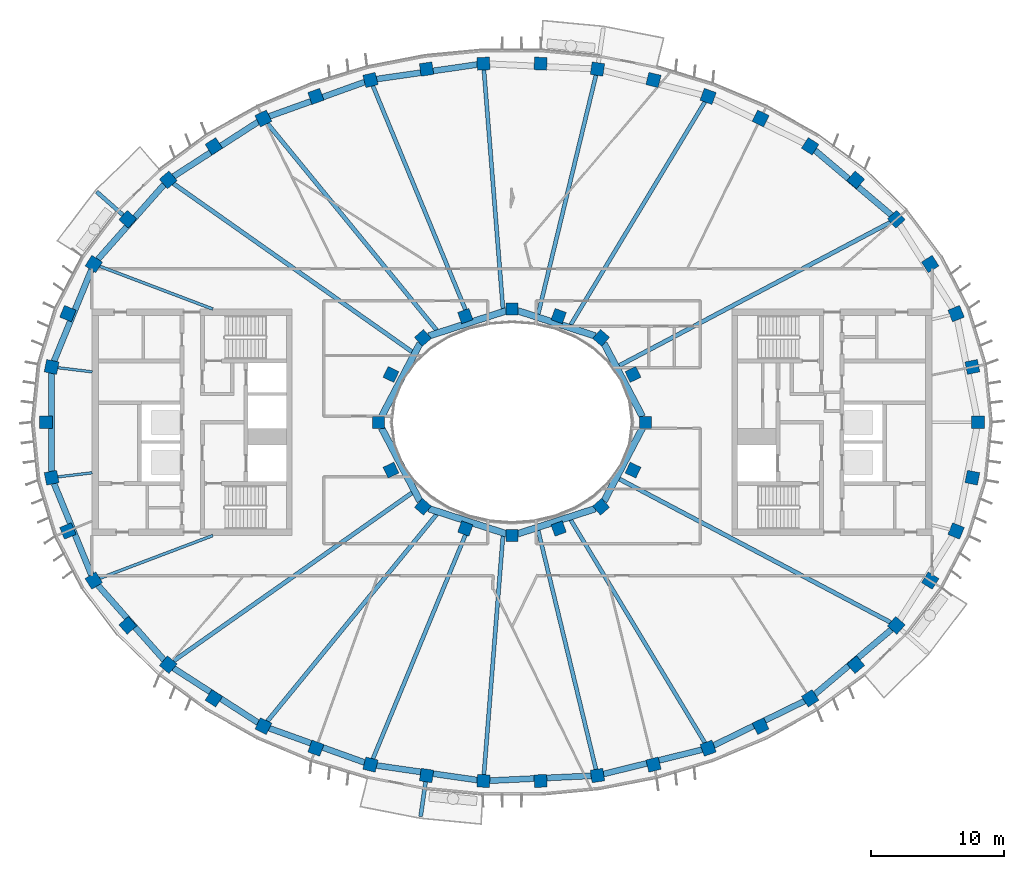
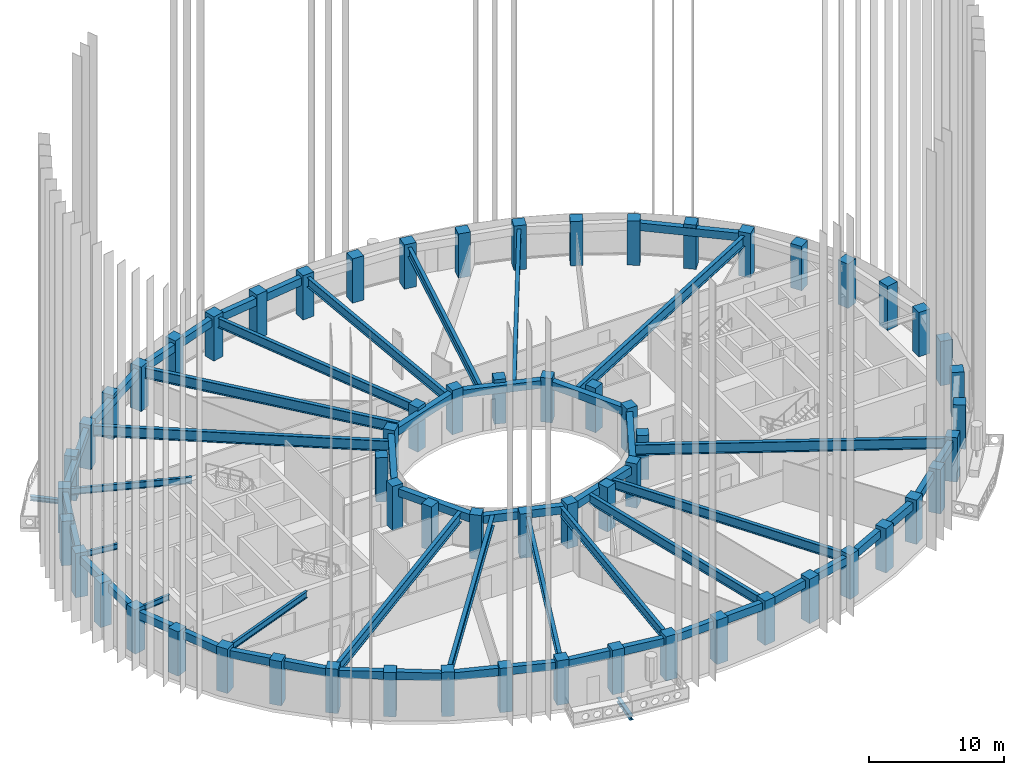
# One storey, part 1 of 17: 62 columns, 44 beams.
"""IFC4 building model written with IfcOpenShell, lengths in metres."""

from ifc_helpers import new_model, si_unit, direction, frame, origin, origin_2d, place, context, subcontext, project, spatial, rectangle, i_section, extrude, material, material_profile, profile_set, type_object, element, save


model = new_model("IFC4")

# Units and contexts
model_context = context("Model", 3, precision=1e-05, world=origin(), true_north=direction((0.0, 1.0)))
body_context = subcontext(model_context, "Body", "Model", "MODEL_VIEW")
ifc_project = project(units=[si_unit("LENGTHUNIT", "METRE"), si_unit("AREAUNIT", "SQUARE_METRE"), si_unit("VOLUMEUNIT", "CUBIC_METRE"), si_unit("PLANEANGLEUNIT", "RADIAN"), si_unit("MASSUNIT", "GRAM", prefix="KILO")], contexts=[model_context])

# Site, building, storey
site_placement = place(None, origin())
site = spatial("IfcSite", under=ifc_project, at=site_placement, CompositionType="ELEMENT")
building_placement = place(site_placement, origin())
building = spatial("IfcBuilding", under=site, at=building_placement, Name="Noorbagh Ring Tower", CompositionType="ELEMENT")
storey_placement = place(building_placement, frame((0.0, 0.0, 291.0)))
storey = spatial("IfcBuildingStorey", under=building, at=storey_placement, Name="L62", CompositionType="ELEMENT", Elevation=291.0)

# Columns
ifc_material_1 = material(Name="Concrete C50/60", Category="concrete")
ifc_material_profile_1 = material_profile(ifc_material_1, rectangle(XDim=0.949951171875, YDim=0.949951171875, at=origin_2d()), Name="RC950x950")
ifc_profile_set_1 = profile_set([ifc_material_profile_1], Name="Concrete C50/60")
column_type_1 = type_object("IfcColumnType", Name="STR-COL-RC950x950-C50-60", PredefinedType="COLUMN", material=ifc_profile_set_1)
for number, where, z_axis, x_axis, name in (
    (1, (34.944580078125, 0.0, 0.0), (0.0, 0.0, 1.0), (0.0, 1.0, 0.0), "L62/col/R1-01"),
    (2, (34.52685546875, 4.150634765625, 0.0), (0.0, 0.0, 1.0), (-0.19723040178, 0.9803571638, 0.0), "L62/col/R1-02"),
    (3, (33.30517578125, 8.1494140625, 0.0), (0.0, 0.0, 1.0), (-0.378989499959, 0.925400971969, 0.0), "L62/col/R1-03"),
    (4, (31.364990234375, 11.87109375, 0.0), (0.0, 0.0, 1.0), (-0.535190403059, 0.844731455833, 0.0), "L62/col/R1-04"),
    (5, (28.81884765625, 15.23046875, 0.0), (0.0, 0.0, 1.0), (-0.662635642662, 0.748941923699, 0.0), "L62/col/R1-05"),
    (6, (25.78271484375, 18.180419921875, 0.0), (0.0, 0.0, 1.0), (-0.763035199656, 0.646356932419, 0.0), "L62/col/R1-06"),
    (7, (22.362060546875, 20.699951171875, 0.0), (0.0, 0.0, 1.0), (-0.840247639643, 0.542202825586, 0.0), "L62/col/R1-07"),
    (8, (18.646240234375, 22.785400390625, 0.0), (0.0, 0.0, 1.0), (-0.898399080868, 0.439180021741, 0.0), "L62/col/R1-08"),
    (9, (14.70947265625, 24.44091796875, 0.0), (0.0, 0.0, 1.0), (-0.941024726094, 0.338337797003, 0.0), "L62/col/R1-09"),
    (10, (10.61328125, 25.673583984375, 0.0), (0.0, 0.0, 1.0), (-0.970829360981, 0.239771457553, 0.0), "L62/col/R1-10"),
    (11, (6.4091796875, 26.49072265625, 0.0), (0.0, 0.0, 1.0), (-0.989713114048, 0.143066249975, 0.0), "L62/col/R1-11"),
    (12, (2.14306640625, 26.89794921875, 0.0), (0.0, 0.0, 1.0), (-0.998868731212, 0.047552684538, 0.0), "L62/col/R1-12"),
    (13, (-2.14306640625, 26.89794921875, 0.0), (0.0, 0.0, 1.0), (-0.998868731212, -0.047552684538, 0.0), "L62/col/R1-13"),
    (14, (-6.4091796875, 26.49072265625, 0.0), (0.0, 0.0, 1.0), (-0.989713114048, -0.143066249975, 0.0), "L62/col/R1-14"),
    (15, (-10.61328125, 25.673583984375, 0.0), (0.0, 0.0, 1.0), (-0.970829360981, -0.239771457553, 0.0), "L62/col/R1-15"),
    (16, (-14.70947265625, 24.44091796875, 0.0), (0.0, 0.0, 1.0), (-0.941024726094, -0.338337797003, 0.0), "L62/col/R1-16"),
    (17, (-18.646240234375, 22.785400390625, 0.0), (0.0, 0.0, 1.0), (-0.898399080868, -0.439180021741, 0.0), "L62/col/R1-17"),
    (18, (-22.362060546875, 20.699951171875, 0.0), (0.0, 0.0, 1.0), (-0.840247639643, -0.542202825586, 0.0), "L62/col/R1-18"),
    (19, (-25.78271484375, 18.180419921875, 0.0), (0.0, 0.0, 1.0), (-0.763035199656, -0.646356932419, 0.0), "L62/col/R1-19"),
    (20, (-28.81884765625, 15.23046875, 0.0), (0.0, 0.0, 1.0), (-0.662635642662, -0.748941923699, 0.0), "L62/col/R1-20"),
    (21, (-31.364990234375, 11.87109375, 0.0), (0.0, 0.0, 1.0), (-0.535190403059, -0.844731455833, 0.0), "L62/col/R1-21"),
    (22, (-33.30517578125, 8.1494140625, 0.0), (0.0, 0.0, 1.0), (-0.378989499959, -0.925400971969, 0.0), "L62/col/R1-22"),
    (23, (-34.52685546875, 4.150634765625, 0.0), (0.0, 0.0, 1.0), (-0.19723040178, -0.9803571638, 0.0), "L62/col/R1-23"),
    (24, (-34.944580078125, 0.0, 0.0), (0.0, 0.0, 1.0), (0.0, -1.0, 0.0), "L62/col/R1-24"),
    (25, (-34.52685546875, -4.150634765625, 0.0), (0.0, 0.0, 1.0), (0.19723040178, -0.9803571638, 0.0), "L62/col/R1-25"),
    (26, (-33.30517578125, -8.1494140625, 0.0), (0.0, 0.0, 1.0), (0.378989499959, -0.925400971969, 0.0), "L62/col/R1-26"),
    (27, (-31.364990234375, -11.87109375, 0.0), (0.0, 0.0, 1.0), (0.535190403059, -0.844731455833, 0.0), "L62/col/R1-27"),
    (28, (-28.81884765625, -15.23046875, 0.0), (0.0, 0.0, 1.0), (0.662635642662, -0.748941923699, 0.0), "L62/col/R1-28"),
    (29, (-25.78271484375, -18.180419921875, 0.0), (0.0, 0.0, 1.0), (0.763035199656, -0.646356932419, 0.0), "L62/col/R1-29"),
    (30, (-22.362060546875, -20.699951171875, 0.0), (0.0, 0.0, 1.0), (0.840247639643, -0.542202825586, 0.0), "L62/col/R1-30"),
    (31, (-18.646240234375, -22.785400390625, 0.0), (0.0, 0.0, 1.0), (0.898399080868, -0.439180021741, 0.0), "L62/col/R1-31"),
    (32, (-14.70947265625, -24.44091796875, 0.0), (0.0, 0.0, 1.0), (0.941024726094, -0.338337797003, 0.0), "L62/col/R1-32"),
    (33, (-10.61328125, -25.673583984375, 0.0), (0.0, 0.0, 1.0), (0.970829360981, -0.239771457553, 0.0), "L62/col/R1-33"),
    (34, (-6.4091796875, -26.49072265625, 0.0), (0.0, 0.0, 1.0), (0.989713114048, -0.143066249975, 0.0), "L62/col/R1-34"),
    (35, (-2.14306640625, -26.89794921875, 0.0), (0.0, 0.0, 1.0), (0.998868731212, -0.047552684538, 0.0), "L62/col/R1-35"),
    (36, (2.14306640625, -26.89794921875, 0.0), (0.0, 0.0, 1.0), (0.998868731212, 0.047552684538, 0.0), "L62/col/R1-36"),
    (37, (6.4091796875, -26.49072265625, 0.0), (0.0, 0.0, 1.0), (0.989713114048, 0.143066249975, 0.0), "L62/col/R1-37"),
    (38, (10.61328125, -25.673583984375, 0.0), (0.0, 0.0, 1.0), (0.970829360981, 0.239771457553, 0.0), "L62/col/R1-38"),
    (39, (14.70947265625, -24.44091796875, 0.0), (0.0, 0.0, 1.0), (0.941024726094, 0.338337797003, 0.0), "L62/col/R1-39"),
    (40, (18.646240234375, -22.785400390625, 0.0), (0.0, 0.0, 1.0), (0.898399080868, 0.439180021741, 0.0), "L62/col/R1-40"),
    (41, (22.362060546875, -20.699951171875, 0.0), (0.0, 0.0, 1.0), (0.840247639643, 0.542202825586, 0.0), "L62/col/R1-41"),
    (42, (25.78271484375, -18.180419921875, 0.0), (0.0, 0.0, 1.0), (0.763035199656, 0.646356932419, 0.0), "L62/col/R1-42"),
    (43, (28.81884765625, -15.23046875, 0.0), (0.0, 0.0, 1.0), (0.662635642662, 0.748941923699, 0.0), "L62/col/R1-43"),
    (44, (31.364990234375, -11.87109375, 0.0), (0.0, 0.0, 1.0), (0.535190403059, 0.844731455833, 0.0), "L62/col/R1-44"),
    (45, (33.30517578125, -8.1494140625, 0.0), (0.0, 0.0, 1.0), (0.378989499959, 0.925400971969, 0.0), "L62/col/R1-45"),
    (46, (34.52685546875, -4.150634765625, 0.0), (0.0, 0.0, 1.0), (0.19723040178, 0.9803571638, 0.0), "L62/col/R1-46"),
):
    element("IfcColumn", number, at=place(storey_placement, frame(where, z_axis=z_axis, x_axis=x_axis)), inside=storey, type_object=column_type_1, Name=name, PredefinedType="COLUMN", context=body_context, shape_type="SweptSolid", body=[
        extrude(rectangle(XDim=0.949951171875, YDim=0.949951171875, at=origin_2d()), origin(), (0.0, 0.0, 1.0), 4.0),
    ])
ifc_material_2 = material(Name="Concrete C50/60", Category="concrete")
ifc_material_profile_2 = material_profile(ifc_material_2, rectangle(XDim=0.89990234375, YDim=0.89990234375, at=origin_2d()), Name="RC900x900")
ifc_profile_set_2 = profile_set([ifc_material_profile_2], Name="Concrete C50/60")
column_type_2 = type_object("IfcColumnType", Name="STR-ICOL-RC900x900-C50-60", PredefinedType="COLUMN", material=ifc_profile_set_2)
for number, where, z_axis, x_axis, name in (
    (47, (10.00830078125, 0.0, 0.0), (0.0, 0.0, 1.0), (0.0, 1.0, 0.0), "L62/col/IR2-W01"),
    (48, (9.07568359375, 3.58837890625, 0.0), (0.0, 0.0, 1.0), (-0.428666979171, 0.903462573087, 0.0), "L62/col/IR2-W03"),
    (49, (6.68212890625, 6.333740234375, 0.0), (0.0, 0.0, 1.0), (-0.75102249095, 0.660276622399, 0.0), "L62/col/IR2-W05"),
    (50, (3.5009765625, 7.967041015625, 0.0), (0.0, 0.0, 1.0), (-0.939019578916, 0.343863679984, 0.0), "L62/col/IR2-W07"),
    (51, (0.0, 8.5029296875, 0.0), (0.0, 0.0, 1.0), (-1.0, 0.0, 0.0), "L62/col/IR2-W09"),
    (52, (-3.5009765625, 7.967041015625, 0.0), (0.0, 0.0, 1.0), (-0.939019578916, -0.343863679984, 0.0), "L62/col/IR2-W11"),
    (53, (-6.68212890625, 6.333740234375, 0.0), (0.0, 0.0, 1.0), (-0.75102249095, -0.660276622399, 0.0), "L62/col/IR2-W13"),
    (54, (-9.07568359375, 3.58837890625, 0.0), (0.0, 0.0, 1.0), (-0.428666979171, -0.903462573087, 0.0), "L62/col/IR2-W15"),
    (55, (-10.00830078125, 0.0, 0.0), (0.0, 0.0, 1.0), (0.0, -1.0, 0.0), "L62/col/IR2-W17"),
    (56, (-9.07568359375, -3.58837890625, 0.0), (0.0, 0.0, 1.0), (0.428666979171, -0.903462573087, 0.0), "L62/col/IR2-W19"),
    (57, (-6.68212890625, -6.333740234375, 0.0), (0.0, 0.0, 1.0), (0.75102249095, -0.660276622399, 0.0), "L62/col/IR2-W21"),
    (58, (-3.5009765625, -7.967041015625, 0.0), (0.0, 0.0, 1.0), (0.939019578916, -0.343863679984, 0.0), "L62/col/IR2-W23"),
    (59, (0.0, -8.5029296875, 0.0), (0.0, 0.0, 1.0), (1.0, 0.0, 0.0), "L62/col/IR2-W25"),
    (60, (3.5009765625, -7.967041015625, 0.0), (0.0, 0.0, 1.0), (0.939019578916, 0.343863679984, 0.0), "L62/col/IR2-W27"),
    (61, (6.68212890625, -6.333740234375, 0.0), (0.0, 0.0, 1.0), (0.75102249095, 0.660276622399, 0.0), "L62/col/IR2-W29"),
    (62, (9.07568359375, -3.58837890625, 0.0), (0.0, 0.0, 1.0), (0.428666979171, 0.903462573087, 0.0), "L62/col/IR2-W31"),
):
    element("IfcColumn", number, at=place(storey_placement, frame(where, z_axis=z_axis, x_axis=x_axis)), inside=storey, type_object=column_type_2, Name=name, PredefinedType="COLUMN", context=body_context, shape_type="SweptSolid", body=[
        extrude(rectangle(XDim=0.89990234375, YDim=0.89990234375, at=origin_2d()), origin(), (0.0, 0.0, 1.0), 4.0),
    ])

# Beams
ifc_material_3 = material(Name="Steel S355", Category="steel")
ifc_material_profile_3 = material_profile(ifc_material_3, i_section(OverallWidth=0.300048828125, OverallDepth=0.39990234375, WebThickness=0.013427734375, FlangeThickness=0.02392578125, FilletRadius=0.027099609375, at=origin_2d()), Name="HEB400")
ifc_profile_set_3 = profile_set([ifc_material_profile_3], Name="Steel S355")
beam_type_1 = type_object("IfcBeamType", Name="STR-BALCONY-BRACKET-HEB400", PredefinedType="BEAM", material=ifc_profile_set_3)
beam_1_placement = place(storey_placement, frame((-29.15966796875, 15.531982421875, -0.5), z_axis=(-0.749056248736, 0.662506404671, 0.0), x_axis=(-0.662506404671, -0.749056248736, 0.0)))
element("IfcBeam", 63, at=beam_1_placement, inside=storey, type_object=beam_type_1, Name="Balcony bracket beam BN06", PredefinedType="BEAM", context=body_context, shape_type="SweptSolid", body=[
    extrude(i_section(OverallWidth=0.300048828125, OverallDepth=0.39990234375, WebThickness=0.013427734375, FlangeThickness=0.02392578125, FilletRadius=0.027099609375, at=origin_2d()), origin(), (0.0, 0.0, 1.0), 2.654296875),
])
beam_2_placement = place(storey_placement, frame((-6.474365234375, -26.941162109375, -0.5), z_axis=(-0.143047035154, -0.989715891422, 0.0), x_axis=(0.989715891422, -0.143047035154, 0.0)))
element("IfcBeam", 64, at=beam_2_placement, inside=storey, type_object=beam_type_1, Name="Balcony bracket beam BS03", PredefinedType="BEAM", context=body_context, shape_type="SweptSolid", body=[
    extrude(i_section(OverallWidth=0.300048828125, OverallDepth=0.39990234375, WebThickness=0.013427734375, FlangeThickness=0.02392578125, FilletRadius=0.027099609375, at=origin_2d()), origin(), (0.0, 0.0, 1.0), 2.64892578125),
])
ifc_material_4 = material(Name="Steel S355", Category="steel")
ifc_material_profile_4 = material_profile(ifc_material_4, i_section(OverallWidth=0.199951171875, OverallDepth=0.5, WebThickness=0.01025390625, FlangeThickness=0.01611328125, FilletRadius=0.02099609375, at=origin_2d()), Name="IPE500")
ifc_profile_set_4 = profile_set([ifc_material_profile_4], Name="Steel S355")
beam_type_2 = type_object("IfcBeamType", Name="STR-RAD-IPE500", PredefinedType="BEAM", material=ifc_profile_set_4)
for number, where, z_axis, x_axis, name in (
    (65, (-34.073486328125, 4.09619140625, 3.449951171875), (0.99285071941, -0.11936267828, 0.0), (0.11936267828, 0.99285071941, 0.0), "L62/bm/RD23"),
    (66, (-34.073486328125, -4.09619140625, 3.449951171875), (0.99285071941, 0.11936267828, 0.0), (-0.11936267828, 0.99285071941, 0.0), "L62/bm/RD25"),
):
    element("IfcBeam", number, at=place(storey_placement, frame(where, z_axis=z_axis, x_axis=x_axis)), inside=storey, type_object=beam_type_2, Name=name, PredefinedType="BEAM", context=body_context, shape_type="SweptSolid", body=[
        extrude(i_section(OverallWidth=0.199951171875, OverallDepth=0.5, WebThickness=0.01025390625, FlangeThickness=0.01611328125, FilletRadius=0.02099609375, at=origin_2d()), origin(), (0.0, 0.0, 1.0), 2.61181640625),
    ])
ifc_material_5 = material(Name="Steel S355", Category="steel")
ifc_material_profile_5 = material_profile(ifc_material_5, i_section(OverallWidth=0.219970703125, OverallDepth=0.60009765625, WebThickness=0.011962890625, FlangeThickness=0.01904296875, FilletRadius=0.02392578125, at=origin_2d()), Name="IPE600")
ifc_profile_set_5 = profile_set([ifc_material_profile_5], Name="Steel S355")
beam_type_3 = type_object("IfcBeamType", Name="STR-RAD-IPE600", PredefinedType="BEAM", material=ifc_profile_set_5)
for number, where, z_axis, x_axis, name in (
    (67, (-30.93017578125, 11.706298828125, 3.39990234375), (0.935258347676, -0.353965850192, 0.0), (0.353965850192, 0.935258347676, 0.0), "L62/bm/RD21"),
    (68, (-30.93017578125, -11.706298828125, 3.39990234375), (0.935258347676, 0.353965850192, 0.0), (-0.353965850192, 0.935258347676, 0.0), "L62/bm/RD27"),
):
    element("IfcBeam", number, at=place(storey_placement, frame(where, z_axis=z_axis, x_axis=x_axis)), inside=storey, type_object=beam_type_3, Name=name, PredefinedType="BEAM", context=body_context, shape_type="SweptSolid", body=[
        extrude(i_section(OverallWidth=0.219970703125, OverallDepth=0.60009765625, WebThickness=0.011962890625, FlangeThickness=0.01904296875, FilletRadius=0.02392578125, at=origin_2d()), origin(), (0.0, 0.0, 1.0), 9.078125),
    ])
ifc_material_6 = material(Name="Steel S355", Category="steel")
ifc_material_profile_6 = material_profile(ifc_material_6, i_section(OverallWidth=0.300048828125, OverallDepth=0.85009765625, WebThickness=0.013916015625, FlangeThickness=0.028076171875, at=origin_2d()), Name="PG850x300x14x28")
ifc_profile_set_6 = profile_set([ifc_material_profile_6], Name="Steel S355")
beam_type_4 = type_object("IfcBeamType", Name="STR-RAD-PG850x300x14x28", PredefinedType="BEAM", material=ifc_profile_set_6)
beam_3_placement = place(storey_placement, frame((14.469970703125, 24.04296875, 3.27490234375), z_axis=(-0.515650204939, -0.856799198264, 0.0), x_axis=(0.856799198264, -0.515650204939, 0.0)))
element("IfcBeam", 69, at=beam_3_placement, inside=storey, type_object=beam_type_4, Name="L62/bm/RD09", PredefinedType="BEAM", context=body_context, shape_type="SweptSolid", body=[
    extrude(i_section(OverallWidth=0.300048828125, OverallDepth=0.85009765625, WebThickness=0.013916015625, FlangeThickness=0.028076171875, at=origin_2d()), origin(), (0.0, 0.0, 1.0), 19.522705078125),
])
beam_4_placement = place(storey_placement, frame((6.3017578125, 26.046630859375, 3.27490234375), z_axis=(-0.235155145901, -0.97195784752, 0.0), x_axis=(0.97195784752, -0.235155145901, 0.0)))
element("IfcBeam", 70, at=beam_4_placement, inside=storey, type_object=beam_type_4, Name="L62/bm/RD11", PredefinedType="BEAM", context=body_context, shape_type="SweptSolid", body=[
    extrude(i_section(OverallWidth=0.300048828125, OverallDepth=0.85009765625, WebThickness=0.013916015625, FlangeThickness=0.028076171875, at=origin_2d()), origin(), (0.0, 0.0, 1.0), 18.456298828125),
])
beam_5_placement = place(storey_placement, frame((-2.10693359375, 26.444091796875, 3.27490234375), z_axis=(0.079423498712, -0.996840964172, 0.0), x_axis=(0.996840964172, 0.079423498712, 0.0)))
element("IfcBeam", 71, at=beam_5_placement, inside=storey, type_object=beam_type_4, Name="L62/bm/RD13", PredefinedType="BEAM", context=body_context, shape_type="SweptSolid", body=[
    extrude(i_section(OverallWidth=0.300048828125, OverallDepth=0.85009765625, WebThickness=0.013916015625, FlangeThickness=0.028076171875, at=origin_2d()), origin(), (0.0, 0.0, 1.0), 17.976318359375),
])
for number, where, z_axis, x_axis, name in (
    (72, (-10.437255859375, 25.248046875, 3.27490234375), (0.382035124729, -0.924147803911, 0.0), (0.924147803911, 0.382035124729, 0.0), "L62/bm/RD15"),
    (73, (-10.437255859375, -25.248046875, 3.27490234375), (0.382035124729, 0.924147803911, 0.0), (-0.924147803911, 0.382035124729, 0.0), "L62/bm/RD33"),
):
    element("IfcBeam", number, at=place(storey_placement, frame(where, z_axis=z_axis, x_axis=x_axis)), inside=storey, type_object=beam_type_4, Name=name, PredefinedType="BEAM", context=body_context, shape_type="SweptSolid", body=[
        extrude(i_section(OverallWidth=0.300048828125, OverallDepth=0.85009765625, WebThickness=0.013916015625, FlangeThickness=0.028076171875, at=origin_2d()), origin(), (0.0, 0.0, 1.0), 18.977294921875),
    ])
beam_6_placement = place(storey_placement, frame((-2.10693359375, -26.444091796875, 3.27490234375), z_axis=(0.079423498712, 0.996840964172, 0.0), x_axis=(-0.996840964172, 0.079423498712, 0.0)))
element("IfcBeam", 74, at=beam_6_placement, inside=storey, type_object=beam_type_4, Name="L62/bm/RD35", PredefinedType="BEAM", context=body_context, shape_type="SweptSolid", body=[
    extrude(i_section(OverallWidth=0.300048828125, OverallDepth=0.85009765625, WebThickness=0.013916015625, FlangeThickness=0.028076171875, at=origin_2d()), origin(), (0.0, 0.0, 1.0), 17.976318359375),
])
beam_7_placement = place(storey_placement, frame((6.3017578125, -26.046630859375, 3.27490234375), z_axis=(-0.235155145901, 0.97195784752, 0.0), x_axis=(-0.97195784752, -0.235155145901, 0.0)))
element("IfcBeam", 75, at=beam_7_placement, inside=storey, type_object=beam_type_4, Name="L62/bm/RD37", PredefinedType="BEAM", context=body_context, shape_type="SweptSolid", body=[
    extrude(i_section(OverallWidth=0.300048828125, OverallDepth=0.85009765625, WebThickness=0.013916015625, FlangeThickness=0.028076171875, at=origin_2d()), origin(), (0.0, 0.0, 1.0), 18.456298828125),
])
beam_8_placement = place(storey_placement, frame((14.469970703125, -24.04296875, 3.27490234375), z_axis=(-0.515650204939, 0.856799198264, 0.0), x_axis=(-0.856799198264, -0.515650204939, 0.0)))
element("IfcBeam", 76, at=beam_8_placement, inside=storey, type_object=beam_type_4, Name="L62/bm/RD39", PredefinedType="BEAM", context=body_context, shape_type="SweptSolid", body=[
    extrude(i_section(OverallWidth=0.300048828125, OverallDepth=0.85009765625, WebThickness=0.013916015625, FlangeThickness=0.028076171875, at=origin_2d()), origin(), (0.0, 0.0, 1.0), 19.522705078125),
])
ifc_material_7 = material(Name="Steel S355", Category="steel")
ifc_material_profile_7 = material_profile(ifc_material_7, i_section(OverallWidth=0.320068359375, OverallDepth=0.949951171875, WebThickness=0.01611328125, FlangeThickness=0.030029296875, at=origin_2d()), Name="PG950x320x16x30")
ifc_profile_set_7 = profile_set([ifc_material_profile_7], Name="Steel S355")
beam_type_5 = type_object("IfcBeamType", Name="STR-RAD-PG950x320x16x30", PredefinedType="BEAM", material=ifc_profile_set_7)
beam_9_placement = place(storey_placement, frame((28.404296875, 15.011474609375, 3.22509765625), z_axis=(-0.884125650742, -0.467249220118, 0.0), x_axis=(0.467249220118, -0.884125650742, 0.0)))
element("IfcBeam", 77, at=beam_9_placement, inside=storey, type_object=beam_type_5, Name="L62/bm/RD05", PredefinedType="BEAM", context=body_context, shape_type="SweptSolid", body=[
    extrude(i_section(OverallWidth=0.320068359375, OverallDepth=0.949951171875, WebThickness=0.01611328125, FlangeThickness=0.030029296875, at=origin_2d()), origin(), (0.0, 0.0, 1.0), 23.0361328125),
])
beam_10_placement = place(storey_placement, frame((-18.349853515625, 22.42333984375, 3.22509765625), z_axis=(0.633310080716, -0.773898146828, 0.0), x_axis=(0.773898146828, 0.633310080716, 0.0)))
element("IfcBeam", 78, at=beam_10_placement, inside=storey, type_object=beam_type_5, Name="L62/bm/RD17", PredefinedType="BEAM", context=body_context, shape_type="SweptSolid", body=[
    extrude(i_section(OverallWidth=0.320068359375, OverallDepth=0.949951171875, WebThickness=0.01611328125, FlangeThickness=0.030029296875, at=origin_2d()), origin(), (0.0, 0.0, 1.0), 20.045166015625),
])
for number, where, z_axis, x_axis, name in (
    (79, (-25.39794921875, 17.908935546875, 3.22509765625), (0.817258066594, -0.576271856494, 0.0), (0.576271856494, 0.817258066594, 0.0), "L62/bm/RD19"),
    (80, (-25.39794921875, -17.908935546875, 3.22509765625), (0.817258066594, 0.576271856494, 0.0), (-0.576271856494, 0.817258066594, 0.0), "L62/bm/RD29"),
):
    element("IfcBeam", number, at=place(storey_placement, frame(where, z_axis=z_axis, x_axis=x_axis)), inside=storey, type_object=beam_type_5, Name=name, PredefinedType="BEAM", context=body_context, shape_type="SweptSolid", body=[
        extrude(i_section(OverallWidth=0.320068359375, OverallDepth=0.949951171875, WebThickness=0.01611328125, FlangeThickness=0.030029296875, at=origin_2d()), origin(), (0.0, 0.0, 1.0), 21.907958984375),
    ])
beam_11_placement = place(storey_placement, frame((-18.349853515625, -22.42333984375, 3.22509765625), z_axis=(0.633310080716, 0.773898146828, 0.0), x_axis=(-0.773898146828, 0.633310080716, 0.0)))
element("IfcBeam", 81, at=beam_11_placement, inside=storey, type_object=beam_type_5, Name="L62/bm/RD31", PredefinedType="BEAM", context=body_context, shape_type="SweptSolid", body=[
    extrude(i_section(OverallWidth=0.320068359375, OverallDepth=0.949951171875, WebThickness=0.01611328125, FlangeThickness=0.030029296875, at=origin_2d()), origin(), (0.0, 0.0, 1.0), 20.045166015625),
])
beam_12_placement = place(storey_placement, frame((28.404296875, -15.011474609375, 3.22509765625), z_axis=(-0.884125650742, 0.467249220118, 0.0), x_axis=(-0.467249220118, -0.884125650742, 0.0)))
element("IfcBeam", 82, at=beam_12_placement, inside=storey, type_object=beam_type_5, Name="L62/bm/RD43", PredefinedType="BEAM", context=body_context, shape_type="SweptSolid", body=[
    extrude(i_section(OverallWidth=0.320068359375, OverallDepth=0.949951171875, WebThickness=0.01611328125, FlangeThickness=0.030029296875, at=origin_2d()), origin(), (0.0, 0.0, 1.0), 23.0361328125),
])
ifc_material_8 = material(Name="Concrete C40/50", Category="concrete")
ifc_material_profile_8 = material_profile(ifc_material_8, rectangle(XDim=0.5, YDim=0.699951171875, at=origin_2d()), Name="RC500x700")
ifc_profile_set_8 = profile_set([ifc_material_profile_8], Name="Concrete C40/50")
beam_type_6 = type_object("IfcBeamType", Name="STR-RB-RC500x700-C40-50", PredefinedType="BEAM", material=ifc_profile_set_8)
beam_13_placement = place(storey_placement, frame((9.781494140625, 0.432373046875, 3.35009765625), z_axis=(-0.464959609013, 0.885331893691, 0.0), x_axis=(-0.885331893691, -0.464959609013, 0.0)))
element("IfcBeam", 83, at=beam_13_placement, inside=storey, type_object=beam_type_6, Name="L62/bm/RG01", PredefinedType="BEAM", context=body_context, shape_type="SweptSolid", body=[
    extrude(rectangle(XDim=0.5, YDim=0.699951171875, at=origin_2d()), origin(), (0.0, 0.0, 1.0), 6.203857421875),
])
for number, where, z_axis, x_axis, name in (
    (84, (6.235107421875, 6.47900390625, 3.35009765625), (-0.951146317375, 0.308740478303, 0.0), (-0.308740478303, -0.951146317375, 0.0), "L62/bm/RG03"),
    (85, (-0.430908203125, 8.363037109375, 3.35009765625), (-0.951146317375, -0.308740478303, 0.0), (0.308740478303, -0.951146317375, 0.0), "L62/bm/RG05"),
):
    element("IfcBeam", number, at=place(storey_placement, frame(where, z_axis=z_axis, x_axis=x_axis)), inside=storey, type_object=beam_type_6, Name=name, PredefinedType="BEAM", context=body_context, shape_type="SweptSolid", body=[
        extrude(rectangle(XDim=0.5, YDim=0.699951171875, at=origin_2d()), origin(), (0.0, 0.0, 1.0), 6.102294921875),
    ])
for number, where, z_axis, x_axis, name in (
    (86, (-6.89697265625, 5.9248046875, 3.35009765625), (-0.464959609013, -0.885331893691, 0.0), (0.885331893691, -0.464959609013, 0.0), "L62/bm/RG07"),
    (87, (-9.781494140625, -0.432373046875, 3.35009765625), (0.464959609013, -0.885331893691, 0.0), (0.885331893691, 0.464959609013, 0.0), "L62/bm/RG09"),
):
    element("IfcBeam", number, at=place(storey_placement, frame(where, z_axis=z_axis, x_axis=x_axis)), inside=storey, type_object=beam_type_6, Name=name, PredefinedType="BEAM", context=body_context, shape_type="SweptSolid", body=[
        extrude(rectangle(XDim=0.5, YDim=0.699951171875, at=origin_2d()), origin(), (0.0, 0.0, 1.0), 6.203857421875),
    ])
for number, where, z_axis, x_axis, name in (
    (88, (-6.235107421875, -6.47900390625, 3.35009765625), (0.951146317375, -0.308740478303, 0.0), (0.308740478303, 0.951146317375, 0.0), "L62/bm/RG11"),
    (89, (0.430908203125, -8.363037109375, 3.35009765625), (0.951146317375, 0.308740478303, 0.0), (-0.308740478303, 0.951146317375, 0.0), "L62/bm/RG13"),
):
    element("IfcBeam", number, at=place(storey_placement, frame(where, z_axis=z_axis, x_axis=x_axis)), inside=storey, type_object=beam_type_6, Name=name, PredefinedType="BEAM", context=body_context, shape_type="SweptSolid", body=[
        extrude(rectangle(XDim=0.5, YDim=0.699951171875, at=origin_2d()), origin(), (0.0, 0.0, 1.0), 6.102294921875),
    ])
beam_14_placement = place(storey_placement, frame((6.89697265625, -5.9248046875, 3.35009765625), z_axis=(0.464959609013, 0.885331893691, 0.0), x_axis=(-0.885331893691, 0.464959609013, 0.0)))
element("IfcBeam", 90, at=beam_14_placement, inside=storey, type_object=beam_type_6, Name="L62/bm/RG15", PredefinedType="BEAM", context=body_context, shape_type="SweptSolid", body=[
    extrude(rectangle(XDim=0.5, YDim=0.699951171875, at=origin_2d()), origin(), (0.0, 0.0, 1.0), 6.203857421875),
])
ifc_material_9 = material(Name="Concrete C40/50", Category="concrete")
ifc_material_profile_9 = material_profile(ifc_material_9, rectangle(XDim=0.449951171875, YDim=0.699951171875, at=origin_2d()), Name="RC450x700")
ifc_profile_set_9 = profile_set([ifc_material_profile_9], Name="Concrete C40/50")
beam_type_7 = type_object("IfcBeamType", Name="STR-SB-RC450x700-C40-50", PredefinedType="BEAM", material=ifc_profile_set_9)
beam_15_placement = place(storey_placement, frame((28.4677734375, 15.52783203125, 3.35009765625), z_axis=(-0.763022759798, 0.646371617594, 0.0), x_axis=(-0.646371617594, -0.763022759798, 0.0)))
element("IfcBeam", 91, at=beam_15_placement, inside=storey, type_object=beam_type_7, Name="L62/bm/SP05", PredefinedType="BEAM", context=body_context, shape_type="SweptSolid", body=[
    extrude(rectangle(XDim=0.449951171875, YDim=0.699951171875, at=origin_2d()), origin(), (0.0, 0.0, 1.0), 7.54296875),
])
beam_16_placement = place(storey_placement, frame((-2.595703125, 26.83251953125, 3.35009765625), z_axis=(-0.989713688826, -0.14306227368, 0.0), x_axis=(0.14306227368, -0.989713688826, 0.0)))
element("IfcBeam", 92, at=beam_16_placement, inside=storey, type_object=beam_type_7, Name="L62/bm/SP13", PredefinedType="BEAM", context=body_context, shape_type="SweptSolid", body=[
    extrude(rectangle(XDim=0.449951171875, YDim=0.699951171875, at=origin_2d()), origin(), (0.0, 0.0, 1.0), 7.6435546875),
])
beam_17_placement = place(storey_placement, frame((-11.043701171875, 25.518798828125, 3.35009765625), z_axis=(-0.941030260788, -0.338322402866, 0.0), x_axis=(0.338322402866, -0.941030260788, 0.0)))
element("IfcBeam", 93, at=beam_17_placement, inside=storey, type_object=beam_type_7, Name="L62/bm/SP15", PredefinedType="BEAM", context=body_context, shape_type="SweptSolid", body=[
    extrude(rectangle(XDim=0.449951171875, YDim=0.699951171875, at=origin_2d()), origin(), (0.0, 0.0, 1.0), 7.62109375),
])
beam_18_placement = place(storey_placement, frame((-19.031494140625, 22.536865234375, 3.35009765625), z_axis=(-0.840242183288, -0.542211281165, 0.0), x_axis=(0.542211281165, -0.840242183288, 0.0)))
element("IfcBeam", 94, at=beam_18_placement, inside=storey, type_object=beam_type_7, Name="L62/bm/SP17", PredefinedType="BEAM", context=body_context, shape_type="SweptSolid", body=[
    extrude(rectangle(XDim=0.449951171875, YDim=0.699951171875, at=origin_2d()), origin(), (0.0, 0.0, 1.0), 7.57568359375),
])
beam_19_placement = place(storey_placement, frame((-26.08740234375, 17.8359375, 3.35009765625), z_axis=(-0.662645487246, -0.748933213466, 0.0), x_axis=(0.748933213466, -0.662645487246, 0.0)))
element("IfcBeam", 95, at=beam_19_placement, inside=storey, type_object=beam_type_7, Name="L62/bm/SP19", PredefinedType="BEAM", context=body_context, shape_type="SweptSolid", body=[
    extrude(rectangle(XDim=0.449951171875, YDim=0.699951171875, at=origin_2d()), origin(), (0.0, 0.0, 1.0), 7.50341796875),
])
beam_20_placement = place(storey_placement, frame((-31.540283203125, 11.443115234375, 3.35009765625), z_axis=(-0.378989151692, -0.925401114598, 0.0), x_axis=(0.925401114598, -0.378989151692, 0.0)))
element("IfcBeam", 96, at=beam_20_placement, inside=storey, type_object=beam_type_7, Name="L62/bm/SP21", PredefinedType="BEAM", context=body_context, shape_type="SweptSolid", body=[
    extrude(rectangle(XDim=0.449951171875, YDim=0.699951171875, at=origin_2d()), origin(), (0.0, 0.0, 1.0), 7.41650390625),
])
beam_21_placement = place(storey_placement, frame((-34.52685546875, 3.68603515625, 3.35009765625), z_axis=(0.0, -1.0, 0.0), x_axis=(1.0, 0.0, 0.0)))
element("IfcBeam", 97, at=beam_21_placement, inside=storey, type_object=beam_type_7, Name="L62/bm/SP23", PredefinedType="BEAM", context=body_context, shape_type="SweptSolid", body=[
    extrude(rectangle(XDim=0.449951171875, YDim=0.699951171875, at=origin_2d()), origin(), (0.0, 0.0, 1.0), 7.3720703125),
])
beam_22_placement = place(storey_placement, frame((-34.35107421875, -4.579833984375, 3.35009765625), z_axis=(0.378989151692, -0.925401114598, 0.0), x_axis=(0.925401114598, 0.378989151692, 0.0)))
element("IfcBeam", 98, at=beam_22_placement, inside=storey, type_object=beam_type_7, Name="L62/bm/SP25", PredefinedType="BEAM", context=body_context, shape_type="SweptSolid", body=[
    extrude(rectangle(XDim=0.449951171875, YDim=0.699951171875, at=origin_2d()), origin(), (0.0, 0.0, 1.0), 7.41650390625),
])
beam_23_placement = place(storey_placement, frame((-31.0595703125, -12.21630859375, 3.35009765625), z_axis=(0.662645487246, -0.748933213466, 0.0), x_axis=(0.748933213466, 0.662645487246, 0.0)))
element("IfcBeam", 99, at=beam_23_placement, inside=storey, type_object=beam_type_7, Name="L62/bm/SP27", PredefinedType="BEAM", context=body_context, shape_type="SweptSolid", body=[
    extrude(rectangle(XDim=0.449951171875, YDim=0.699951171875, at=origin_2d()), origin(), (0.0, 0.0, 1.0), 7.50341796875),
])
beam_24_placement = place(storey_placement, frame((-25.39697265625, -18.42919921875, 3.35009765625), z_axis=(0.840242183288, -0.542211281165, 0.0), x_axis=(0.542211281165, 0.840242183288, 0.0)))
element("IfcBeam", 100, at=beam_24_placement, inside=storey, type_object=beam_type_7, Name="L62/bm/SP29", PredefinedType="BEAM", context=body_context, shape_type="SweptSolid", body=[
    extrude(rectangle(XDim=0.449951171875, YDim=0.699951171875, at=origin_2d()), origin(), (0.0, 0.0, 1.0), 7.57568359375),
])
beam_25_placement = place(storey_placement, frame((-18.21533203125, -22.9404296875, 3.35009765625), z_axis=(0.941030260788, -0.338322402866, 0.0), x_axis=(0.338322402866, 0.941030260788, 0.0)))
element("IfcBeam", 101, at=beam_25_placement, inside=storey, type_object=beam_type_7, Name="L62/bm/SP31", PredefinedType="BEAM", context=body_context, shape_type="SweptSolid", body=[
    extrude(rectangle(XDim=0.449951171875, YDim=0.699951171875, at=origin_2d()), origin(), (0.0, 0.0, 1.0), 7.62109375),
])
beam_26_placement = place(storey_placement, frame((-10.16064453125, -25.739013671875, 3.35009765625), z_axis=(0.989713688826, -0.14306227368, 0.0), x_axis=(0.14306227368, 0.989713688826, 0.0)))
element("IfcBeam", 102, at=beam_26_placement, inside=storey, type_object=beam_type_7, Name="L62/bm/SP33", PredefinedType="BEAM", context=body_context, shape_type="SweptSolid", body=[
    extrude(rectangle(XDim=0.449951171875, YDim=0.699951171875, at=origin_2d()), origin(), (0.0, 0.0, 1.0), 7.6435546875),
])
beam_27_placement = place(storey_placement, frame((-1.6865234375, -26.876220703125, 3.35009765625), z_axis=(0.998869653919, 0.047533298648, 0.0), x_axis=(-0.047533298648, 0.998869653919, 0.0)))
element("IfcBeam", 103, at=beam_27_placement, inside=storey, type_object=beam_type_7, Name="L62/bm/SP35", PredefinedType="BEAM", context=body_context, shape_type="SweptSolid", body=[
    extrude(rectangle(XDim=0.449951171875, YDim=0.699951171875, at=origin_2d()), origin(), (0.0, 0.0, 1.0), 7.647705078125),
])
beam_28_placement = place(storey_placement, frame((6.853271484375, -26.381103515625, 3.35009765625), z_axis=(0.970830763324, 0.239765779427, 0.0), x_axis=(-0.239765779427, 0.970830763324, 0.0)))
element("IfcBeam", 104, at=beam_28_placement, inside=storey, type_object=beam_type_7, Name="L62/bm/SP37", PredefinedType="BEAM", context=body_context, shape_type="SweptSolid", body=[
    extrude(rectangle(XDim=0.449951171875, YDim=0.699951171875, at=origin_2d()), origin(), (0.0, 0.0, 1.0), 7.634765625),
])
beam_29_placement = place(storey_placement, frame((15.120849609375, -24.23974609375, 3.35009765625), z_axis=(0.898405762579, 0.43916635318, 0.0), x_axis=(-0.43916635318, 0.898405762579, 0.0)))
element("IfcBeam", 105, at=beam_29_placement, inside=storey, type_object=beam_type_7, Name="L62/bm/SP39", PredefinedType="BEAM", context=body_context, shape_type="SweptSolid", body=[
    extrude(rectangle(XDim=0.449951171875, YDim=0.699951171875, at=origin_2d()), origin(), (0.0, 0.0, 1.0), 7.6015625),
])
beam_30_placement = place(storey_placement, frame((22.71240234375, -20.4033203125, 3.35009765625), z_axis=(0.763022759798, 0.646371617594, 0.0), x_axis=(-0.646371617594, 0.763022759798, 0.0)))
element("IfcBeam", 106, at=beam_30_placement, inside=storey, type_object=beam_type_7, Name="L62/bm/SP41", PredefinedType="BEAM", context=body_context, shape_type="SweptSolid", body=[
    extrude(rectangle(XDim=0.449951171875, YDim=0.699951171875, at=origin_2d()), origin(), (0.0, 0.0, 1.0), 7.54296875),
])

save(model, "model.ifc")
